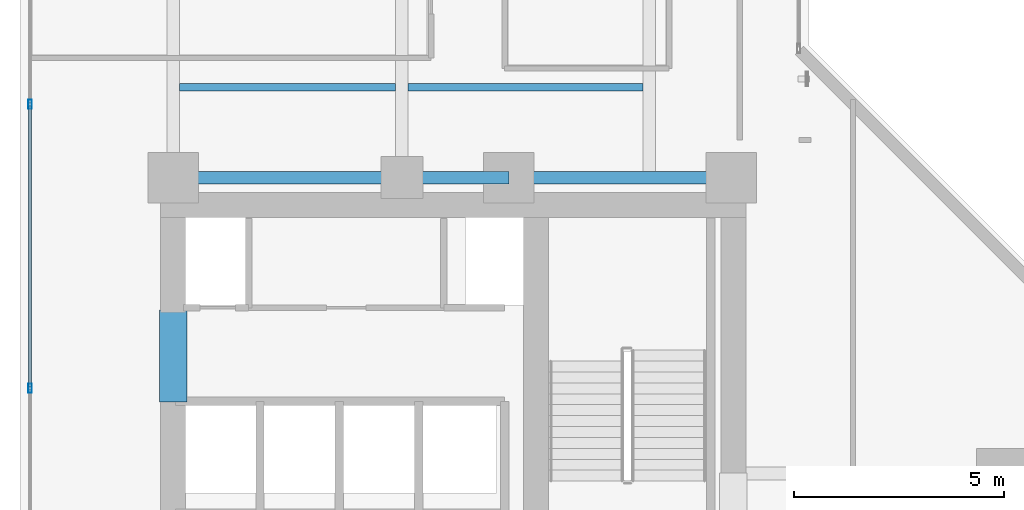
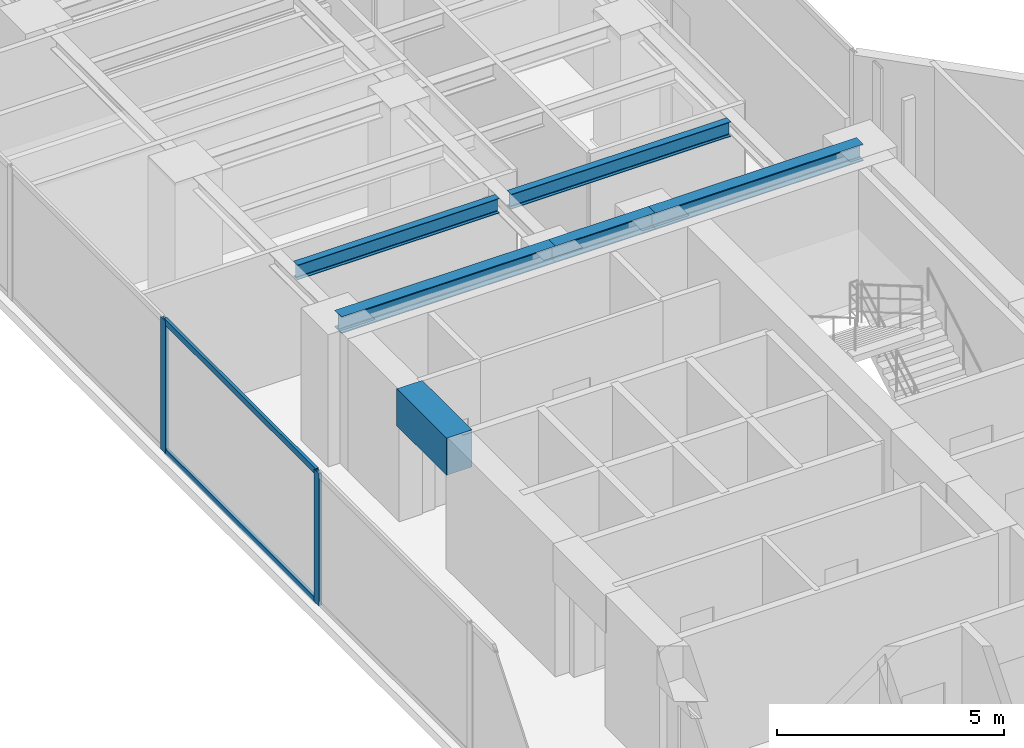
# One storey, part 6 of 24: 6 beams, 4 members, 1 element without a shape of its own.
"""IFC4 building model written with IfcOpenShell, lengths in metres."""

from ifc_helpers import new_model, si_unit, direction, frame, origin, origin_with_axes, origin_2d, place, context, subcontext, project, spatial, rectangle, hollow_rectangle, i_section, extrude, source, transform, mapped, material, layer, layer_set, material_profile, profile_set, type_object, element, aggregate, save


model = new_model("IFC4")

# Units and contexts
model_context = context("Model", 3, precision=1e-05, world=origin(), true_north=direction((0.0, 1.0)))
body_context = subcontext(model_context, "Body", "Model", "MODEL_VIEW")
ifc_project = project(units=[si_unit("LENGTHUNIT", "METRE"), si_unit("AREAUNIT", "SQUARE_METRE"), si_unit("VOLUMEUNIT", "CUBIC_METRE"), si_unit("PLANEANGLEUNIT", "RADIAN"), si_unit("MASSUNIT", "GRAM", prefix="KILO")], contexts=[model_context])

# Site, building, storey
site_placement = place(None, origin())
site = spatial("IfcSite", under=ifc_project, at=site_placement, CompositionType="ELEMENT")
building_placement = place(site_placement, origin())
building = spatial("IfcBuilding", under=site, at=building_placement, Name="Kolvaren Waterfront Exchange", CompositionType="ELEMENT")
storey_placement = place(building_placement, frame((0.0, 0.0, 153.800048828125)))
storey = spatial("IfcBuildingStorey", under=building, at=storey_placement, Name="L39", CompositionType="ELEMENT", Elevation=153.800048828125)

# Beams
ifc_material_1 = material(Name="Steel S355", Category="steel")
ifc_material_profile_1 = material_profile(ifc_material_1, i_section(OverallWidth=0.300048828125, OverallDepth=0.449951171875, WebThickness=0.013916015625, FlangeThickness=0.02587890625, FilletRadius=0.027099609375, at=origin_2d()), Name="HEB450")
ifc_profile_set_1 = profile_set([ifc_material_profile_1], Name="Steel S355")
beam_type_1 = type_object("IfcBeamType", Name="STR-BM-HEB450", PredefinedType="BEAM", material=ifc_profile_set_1)
beam_1_placement = place(storey_placement, frame((7.449951171875, 24.449951171875, 3.3349609375), z_axis=(1.0, 0.0, 0.0), x_axis=(0.0, 1.0, 0.0)))
element("IfcBeam", 1, at=beam_1_placement, inside=storey, type_object=beam_type_1, Name="L39 north-arm girder 1A", PredefinedType="BEAM", context=body_context, shape_type="SweptSolid", body=[
    extrude(i_section(OverallWidth=0.300048828125, OverallDepth=0.449951171875, WebThickness=0.013916015625, FlangeThickness=0.02587890625, FilletRadius=0.027099609375, at=origin_2d()), origin(), (0.0, 0.0, 1.0), 5.449951171875),
])
beam_2_placement = place(storey_placement, frame((12.89990234375, 24.449951171875, 3.3349609375), z_axis=(1.0, 0.0, 0.0), x_axis=(0.0, 1.0, 0.0)))
element("IfcBeam", 2, at=beam_2_placement, inside=storey, type_object=beam_type_1, Name="L39 north-arm girder 1B", PredefinedType="BEAM", context=body_context, shape_type="SweptSolid", body=[
    extrude(i_section(OverallWidth=0.300048828125, OverallDepth=0.449951171875, WebThickness=0.013916015625, FlangeThickness=0.02587890625, FilletRadius=0.027099609375, at=origin_2d()), origin(), (0.0, 0.0, 1.0), 2.550048828125),
])
beam_3_placement = place(storey_placement, frame((15.449951171875, 24.449951171875, 3.3349609375), z_axis=(1.0, 0.0, 0.0), x_axis=(0.0, 1.0, 0.0)))
element("IfcBeam", 3, at=beam_3_placement, inside=storey, type_object=beam_type_1, Name="L39 north-arm girder 1C", PredefinedType="BEAM", context=body_context, shape_type="SweptSolid", body=[
    extrude(i_section(OverallWidth=0.300048828125, OverallDepth=0.449951171875, WebThickness=0.013916015625, FlangeThickness=0.02587890625, FilletRadius=0.027099609375, at=origin_2d()), origin(), (0.0, 0.0, 1.0), 5.300048828125),
])
ifc_material_profile_2 = material_profile(ifc_material_1, i_section(OverallWidth=0.179931640625, OverallDepth=0.39990234375, WebThickness=0.008544921875, FlangeThickness=0.013427734375, FilletRadius=0.02099609375, at=origin_2d()), Name="IPE400")
ifc_profile_set_2 = profile_set([ifc_material_profile_2], Name="Steel S355")
beam_type_2 = type_object("IfcBeamType", Name="STR-BM-IPE400", PredefinedType="JOIST", material=ifc_profile_set_2)
beam_4_placement = place(storey_placement, frame((7.60205078125, 26.60009765625, 3.35986328125), z_axis=(1.0, 0.0, 0.0), x_axis=(0.0, 1.0, 0.0)))
element("IfcBeam", 4, at=beam_4_placement, inside=storey, type_object=beam_type_2, Name="L39 north-arm composite joist 1A", PredefinedType="JOIST", context=body_context, shape_type="SweptSolid", body=[
    extrude(i_section(OverallWidth=0.179931640625, OverallDepth=0.39990234375, WebThickness=0.008544921875, FlangeThickness=0.013427734375, FilletRadius=0.02099609375, at=origin_2d()), origin(), (0.0, 0.0, 1.0), 5.14599609375),
])
beam_5_placement = place(storey_placement, frame((13.052001953125, 26.60009765625, 3.35986328125), z_axis=(1.0, 0.0, 0.0), x_axis=(0.0, 1.0, 0.0)))
element("IfcBeam", 5, at=beam_5_placement, inside=storey, type_object=beam_type_2, Name="L39 north-arm composite joist 1B", PredefinedType="JOIST", context=body_context, shape_type="SweptSolid", body=[
    extrude(i_section(OverallWidth=0.179931640625, OverallDepth=0.39990234375, WebThickness=0.008544921875, FlangeThickness=0.013427734375, FilletRadius=0.02099609375, at=origin_2d()), origin(), (0.0, 0.0, 1.0), 5.595947265625),
])
ifc_material_2 = material(Name="Concrete C60/75", Category="concrete")
ifc_material_profile_3 = material_profile(ifc_material_2, rectangle(XDim=0.64990234375, YDim=1.0, at=origin_2d()), Name="RC-CB-1000x650")
ifc_profile_set_3 = profile_set([ifc_material_profile_3], Name="Concrete C60/75")
beam_type_3 = type_object("IfcBeamType", Name="STR-CB-1000", PredefinedType="SPANDREL", material=ifc_profile_set_3)
beam_6_placement = place(storey_placement, frame((7.449951171875, 19.10009765625, 3.06005859375), z_axis=(0.0, 1.0, 0.0), x_axis=(-1.0, 0.0, 0.0)))
element("IfcBeam", 6, at=beam_6_placement, inside=storey, type_object=beam_type_3, Name="L39 core coupling beam 5", PredefinedType="SPANDREL", context=body_context, shape_type="SweptSolid", body=[
    extrude(rectangle(XDim=0.64990234375, YDim=1.0, at=origin_2d()), origin(), (0.0, 0.0, 1.0), 2.199951171875),
])

# Curtain wall, members
ifc_material_3 = material(Name="Anodised aluminium 6063-T6", Category="aluminium")
ifc_layer = layer(ifc_material_3, 0.219970703125, Name="Anodised aluminium 6063-T6")
ifc_layer_set = layer_set([ifc_layer], Name="Anodised aluminium 6063-T6")
curtain_wall_type = type_object("IfcCurtainWallType", Name="ARC-CW-SYS2", PredefinedType="USERDEFINED", material=ifc_layer_set)
curtain_wall_placement = place(storey_placement, origin())
curtain_wall = element("IfcCurtainWall", 7, at=curtain_wall_placement, inside=storey, type_object=curtain_wall_type, Name="L39 stick curtain wall CW2 (CW-L39-W)", ObjectType="STICK CURTAIN WALL", PredefinedType="USERDEFINED")
ifc_material_profile_4 = material_profile(ifc_material_3, hollow_rectangle(XDim=0.080078125, YDim=0.219970703125, WallThickness=0.0048828125, at=origin_2d()), Name="ALU-MUL-220x80x5")
ifc_profile_set_4 = profile_set([ifc_material_profile_4], Name="Anodised aluminium 6063-T6")
member_type_1 = type_object("IfcMemberType", Name="ARC-CWM-220", PredefinedType="MULLION", material=ifc_profile_set_4)
shared_shape_1 = source(origin_with_axes(), body_context, "Body", "SweptSolid", [
    extrude(hollow_rectangle(XDim=0.080078125, YDim=0.219970703125, WallThickness=0.0048828125, at=origin_2d()), origin(), (0.0, 0.0, 1.0), 3.56005859375),
])
member_1_placement = place(storey_placement, frame((4.0400390625, 19.433349609375, 0.0), z_axis=(0.0, 0.0, 1.0), x_axis=(-1.0, 0.0, 0.0)))
member_1 = element("IfcMember", 8, at=member_1_placement, type_object=member_type_1, Name="CW2 mullion 3", PredefinedType="MULLION", context=body_context, shape_type="MappedRepresentation", body=[
    mapped(shared_shape_1, transform((0.0, 0.0, 0.0), x_axis=(1.0, 0.0, 0.0), y_axis=(0.0, 1.0, 0.0), z_axis=(0.0, 0.0, 1.0), scale=1.0)),
])
member_2_placement = place(storey_placement, frame((4.0400390625, 26.199951171875, 0.0), z_axis=(0.0, 0.0, 1.0), x_axis=(-1.0, 0.0, 0.0)))
member_2 = element("IfcMember", 9, at=member_2_placement, type_object=member_type_1, Name="CW2 mullion 4", PredefinedType="MULLION", context=body_context, shape_type="MappedRepresentation", body=[
    mapped(shared_shape_1, transform((0.0, 0.0, 0.0), x_axis=(1.0, 0.0, 0.0), y_axis=(0.0, 1.0, 0.0), z_axis=(0.0, 0.0, 1.0), scale=1.0)),
])
ifc_material_profile_5 = material_profile(ifc_material_3, hollow_rectangle(XDim=0.074951171875, YDim=0.159912109375, WallThickness=0.00439453125, at=origin_2d()), Name="ALU-TRN-160x75x4.5")
ifc_profile_set_5 = profile_set([ifc_material_profile_5], Name="Anodised aluminium 6063-T6")
member_type_2 = type_object("IfcMemberType", Name="ARC-CWT-160", PredefinedType="USERDEFINED", material=ifc_profile_set_5)
shared_shape_2 = source(origin_with_axes(), body_context, "Body", "SweptSolid", [
    extrude(hollow_rectangle(XDim=0.074951171875, YDim=0.159912109375, WallThickness=0.00439453125, at=origin_2d()), origin(), (0.0, 0.0, 1.0), 6.6865234375),
])
member_3_placement = place(storey_placement, frame((4.0400390625, 19.473388671875, 0.037353515625), z_axis=(0.0, 1.0, 0.0), x_axis=(-1.0, 0.0, 0.0)))
member_3 = element("IfcMember", 10, at=member_3_placement, type_object=member_type_2, Name="CW2 transom 3.1", ObjectType="TRANSOM", PredefinedType="USERDEFINED", context=body_context, shape_type="MappedRepresentation", body=[
    mapped(shared_shape_2, transform((0.0, 0.0, 0.0), x_axis=(1.0, 0.0, 0.0), y_axis=(0.0, 1.0, 0.0), z_axis=(0.0, 0.0, 1.0), scale=1.0)),
])
member_4_placement = place(storey_placement, frame((4.0400390625, 19.473388671875, 3.5224609375), z_axis=(0.0, 1.0, 0.0), x_axis=(-1.0, 0.0, 0.0)))
member_4 = element("IfcMember", 11, at=member_4_placement, type_object=member_type_2, Name="CW2 transom 3.2", ObjectType="TRANSOM", PredefinedType="USERDEFINED", context=body_context, shape_type="MappedRepresentation", body=[
    mapped(shared_shape_2, transform((0.0, 0.0, 0.0), x_axis=(1.0, 0.0, 0.0), y_axis=(0.0, 1.0, 0.0), z_axis=(0.0, 0.0, 1.0), scale=1.0)),
])
aggregate(curtain_wall, [member_1, member_2, member_3, member_4])

save(model, "model.ifc")
